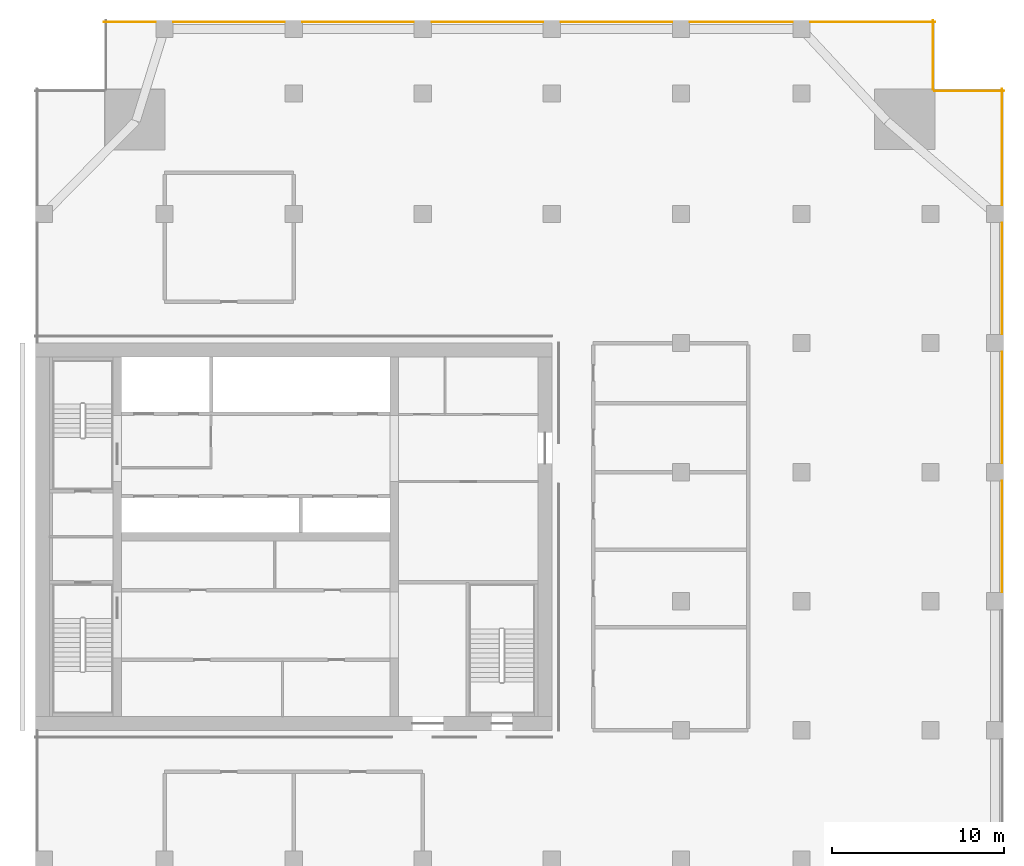
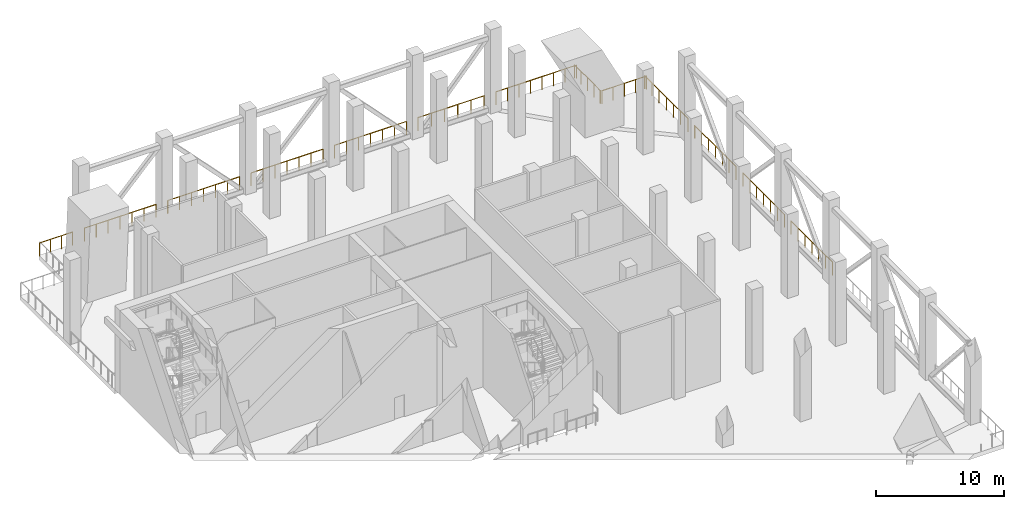
# One storey, part 12 of 12: 13 railings.
"""IFC4 building model written with IfcOpenShell, lengths in metres."""

from ifc_helpers import new_model, si_unit, direction, frame, origin, origin_2d, place, context, subcontext, project, spatial, circle, extrude, material, type_object, element, save


model = new_model("IFC4")

# Units and contexts
model_context = context("Model", 3, precision=1e-05, world=origin(), true_north=direction((0.0, 1.0)))
body_context = subcontext(model_context, "Body", "Model", "MODEL_VIEW")
ifc_project = project(units=[si_unit("LENGTHUNIT", "METRE"), si_unit("AREAUNIT", "SQUARE_METRE"), si_unit("VOLUMEUNIT", "CUBIC_METRE"), si_unit("PLANEANGLEUNIT", "RADIAN"), si_unit("MASSUNIT", "GRAM", prefix="KILO")], contexts=[model_context])

# Site, building, storey
site_placement = place(None, origin())
site = spatial("IfcSite", under=ifc_project, at=site_placement, CompositionType="ELEMENT")
building_placement = place(site_placement, origin())
building = spatial("IfcBuilding", under=site, at=building_placement, Name="Tamorin Gate", CompositionType="ELEMENT")
storey_placement = place(building_placement, frame((0.0, 0.0, 166.199951171875)))
storey = spatial("IfcBuildingStorey", under=building, at=storey_placement, Name="L41", CompositionType="ELEMENT", Elevation=166.199951171875)

# Railings
ifc_material = material(Name="Stainless steel", Category="steel")
railing_type = type_object("IfcRailingType", Name="Wind floor guard 1250", PredefinedType="GUARDRAIL", material=ifc_material)
for number, where, name in (
    (1, (86.14990234375, 68.030029296875, 0.0), "Open edge guard"),
    (2, (86.14990234375, 75.530029296875, 0.0), "Open edge guard"),
    (3, (86.14990234375, 83.030029296875, 0.0), "Open edge guard"),
):
    element("IfcRailing", number, at=place(storey_placement, frame(where)), inside=storey, type_object=railing_type, Name=name, PredefinedType="GUARDRAIL", context=body_context, shape_type="SweptSolid", body=[
        extrude(circle(Radius=0.02392578125, at=origin_2d()), frame((0.0, 0.0, 1.22607421875), z_axis=(0.0, 1.0, 0.0), x_axis=(-1.0, 0.0, 0.0)), (0.0, 0.0, 1.0), 6.43994140625),
        extrude(circle(Radius=0.02099609375, at=origin_2d()), origin(), (0.0, 0.0, 1.0), 1.201904296875),
        extrude(circle(Radius=0.02099609375, at=origin_2d()), frame((0.0, 1.0732421875, 0.0)), (0.0, 0.0, 1.0), 1.201904296875),
        extrude(circle(Radius=0.02099609375, at=origin_2d()), frame((0.0, 2.146728515625, 0.0)), (0.0, 0.0, 1.0), 1.201904296875),
        extrude(circle(Radius=0.02099609375, at=origin_2d()), frame((0.0, 3.219970703125, 0.0)), (0.0, 0.0, 1.0), 1.201904296875),
        extrude(circle(Radius=0.02099609375, at=origin_2d()), frame((0.0, 4.293212890625, 0.0)), (0.0, 0.0, 1.0), 1.201904296875),
        extrude(circle(Radius=0.02099609375, at=origin_2d()), frame((0.0, 5.36669921875, 0.0)), (0.0, 0.0, 1.0), 1.201904296875),
        extrude(circle(Radius=0.02099609375, at=origin_2d()), frame((0.0, 6.43994140625, 0.0)), (0.0, 0.0, 1.0), 1.201904296875),
    ])
railing_1_placement = place(storey_placement, frame((86.14990234375, 90.530029296875, 0.0)))
element("IfcRailing", 4, at=railing_1_placement, inside=storey, type_object=railing_type, Name="Open edge guard", PredefinedType="GUARDRAIL", context=body_context, shape_type="SweptSolid", body=[
    extrude(circle(Radius=0.02392578125, at=origin_2d()), frame((0.0, 0.0, 1.22607421875), z_axis=(0.0, 1.0, 0.0), x_axis=(-1.0, 0.0, 0.0)), (0.0, 0.0, 1.0), 6.719970703125),
    extrude(circle(Radius=0.02099609375, at=origin_2d()), origin(), (0.0, 0.0, 1.0), 1.201904296875),
    extrude(circle(Radius=0.02099609375, at=origin_2d()), frame((0.0, 1.1201171875, 0.0)), (0.0, 0.0, 1.0), 1.201904296875),
    extrude(circle(Radius=0.02099609375, at=origin_2d()), frame((0.0, 2.239990234375, 0.0)), (0.0, 0.0, 1.0), 1.201904296875),
    extrude(circle(Radius=0.02099609375, at=origin_2d()), frame((0.0, 3.35986328125, 0.0)), (0.0, 0.0, 1.0), 1.201904296875),
    extrude(circle(Radius=0.02099609375, at=origin_2d()), frame((0.0, 4.47998046875, 0.0)), (0.0, 0.0, 1.0), 1.201904296875),
    extrude(circle(Radius=0.02099609375, at=origin_2d()), frame((0.0, 5.60009765625, 0.0)), (0.0, 0.0, 1.0), 1.201904296875),
    extrude(circle(Radius=0.02099609375, at=origin_2d()), frame((0.0, 6.719970703125, 0.0)), (0.0, 0.0, 1.0), 1.201904296875),
])
railing_2_placement = place(storey_placement, frame((86.25, 97.14990234375, 0.0)))
element("IfcRailing", 5, at=railing_2_placement, inside=storey, type_object=railing_type, Name="Open edge guard", PredefinedType="GUARDRAIL", context=body_context, shape_type="SweptSolid", body=[
    extrude(circle(Radius=0.02392578125, at=origin_2d()), frame((0.0, 0.0, 1.22607421875), z_axis=(-1.0, 0.0, 0.0), x_axis=(0.0, -1.0, 0.0)), (0.0, 0.0, 1.0), 4.0),
    extrude(circle(Radius=0.02099609375, at=origin_2d()), origin(), (0.0, 0.0, 1.0), 1.201904296875),
    extrude(circle(Radius=0.02099609375, at=origin_2d()), frame((-1.0, 0.0, 0.0)), (0.0, 0.0, 1.0), 1.201904296875),
    extrude(circle(Radius=0.02099609375, at=origin_2d()), frame((-2.0, 0.0, 0.0)), (0.0, 0.0, 1.0), 1.201904296875),
    extrude(circle(Radius=0.02099609375, at=origin_2d()), frame((-3.0, 0.0, 0.0)), (0.0, 0.0, 1.0), 1.201904296875),
    extrude(circle(Radius=0.02099609375, at=origin_2d()), frame((-4.0, 0.0, 0.0)), (0.0, 0.0, 1.0), 1.201904296875),
])
railing_3_placement = place(storey_placement, frame((82.14990234375, 97.25, 0.0)))
element("IfcRailing", 6, at=railing_3_placement, inside=storey, type_object=railing_type, Name="Open edge guard", PredefinedType="GUARDRAIL", context=body_context, shape_type="SweptSolid", body=[
    extrude(circle(Radius=0.02392578125, at=origin_2d()), frame((0.0, 0.0, 1.22607421875), z_axis=(0.0, 1.0, 0.0), x_axis=(-1.0, 0.0, 0.0)), (0.0, 0.0, 1.0), 4.0),
    extrude(circle(Radius=0.02099609375, at=origin_2d()), origin(), (0.0, 0.0, 1.0), 1.201904296875),
    extrude(circle(Radius=0.02099609375, at=origin_2d()), frame((0.0, 1.0, 0.0)), (0.0, 0.0, 1.0), 1.201904296875),
    extrude(circle(Radius=0.02099609375, at=origin_2d()), frame((0.0, 2.0, 0.0)), (0.0, 0.0, 1.0), 1.201904296875),
    extrude(circle(Radius=0.02099609375, at=origin_2d()), frame((0.0, 3.0, 0.0)), (0.0, 0.0, 1.0), 1.201904296875),
    extrude(circle(Radius=0.02099609375, at=origin_2d()), frame((0.0, 4.0, 0.0)), (0.0, 0.0, 1.0), 1.201904296875),
])
railing_4_placement = place(storey_placement, frame((82.25, 101.14990234375, 0.0)))
element("IfcRailing", 7, at=railing_4_placement, inside=storey, type_object=railing_type, Name="Open edge guard", PredefinedType="GUARDRAIL", context=body_context, shape_type="SweptSolid", body=[
    extrude(circle(Radius=0.02392578125, at=origin_2d()), frame((0.0, 0.0, 1.22607421875), z_axis=(-1.0, 0.0, 0.0), x_axis=(0.0, -1.0, 0.0)), (0.0, 0.0, 1.0), 7.219970703125),
    extrude(circle(Radius=0.02099609375, at=origin_2d()), origin(), (0.0, 0.0, 1.0), 1.201904296875),
    extrude(circle(Radius=0.02099609375, at=origin_2d()), frame((-1.031494140625, 0.0, 0.0)), (0.0, 0.0, 1.0), 1.201904296875),
    extrude(circle(Radius=0.02099609375, at=origin_2d()), frame((-2.062744140625, 0.0, 0.0)), (0.0, 0.0, 1.0), 1.201904296875),
    extrude(circle(Radius=0.02099609375, at=origin_2d()), frame((-3.09423828125, 0.0, 0.0)), (0.0, 0.0, 1.0), 1.201904296875),
    extrude(circle(Radius=0.02099609375, at=origin_2d()), frame((-4.125732421875, 0.0, 0.0)), (0.0, 0.0, 1.0), 1.201904296875),
    extrude(circle(Radius=0.02099609375, at=origin_2d()), frame((-5.1572265625, 0.0, 0.0)), (0.0, 0.0, 1.0), 1.201904296875),
    extrude(circle(Radius=0.02099609375, at=origin_2d()), frame((-6.1884765625, 0.0, 0.0)), (0.0, 0.0, 1.0), 1.201904296875),
    extrude(circle(Radius=0.02099609375, at=origin_2d()), frame((-7.219970703125, 0.0, 0.0)), (0.0, 0.0, 1.0), 1.201904296875),
])
railing_5_placement = place(storey_placement, frame((73.969970703125, 101.14990234375, 0.0)))
element("IfcRailing", 8, at=railing_5_placement, inside=storey, type_object=railing_type, Name="Open edge guard", PredefinedType="GUARDRAIL", context=body_context, shape_type="SweptSolid", body=[
    extrude(circle(Radius=0.02392578125, at=origin_2d()), frame((0.0, 0.0, 1.22607421875), z_axis=(-1.0, 0.0, 0.0), x_axis=(0.0, -1.0, 0.0)), (0.0, 0.0, 1.0), 5.93994140625),
    extrude(circle(Radius=0.02099609375, at=origin_2d()), origin(), (0.0, 0.0, 1.0), 1.201904296875),
    extrude(circle(Radius=0.02099609375, at=origin_2d()), frame((-1.18798828125, 0.0, 0.0)), (0.0, 0.0, 1.0), 1.201904296875),
    extrude(circle(Radius=0.02099609375, at=origin_2d()), frame((-2.3759765625, 0.0, 0.0)), (0.0, 0.0, 1.0), 1.201904296875),
    extrude(circle(Radius=0.02099609375, at=origin_2d()), frame((-3.56396484375, 0.0, 0.0)), (0.0, 0.0, 1.0), 1.201904296875),
    extrude(circle(Radius=0.02099609375, at=origin_2d()), frame((-4.751953125, 0.0, 0.0)), (0.0, 0.0, 1.0), 1.201904296875),
    extrude(circle(Radius=0.02099609375, at=origin_2d()), frame((-5.93994140625, 0.0, 0.0)), (0.0, 0.0, 1.0), 1.201904296875),
])
for number, where, name in (
    (9, (66.969970703125, 101.14990234375, 0.0), "Open edge guard"),
    (10, (59.469970703125, 101.14990234375, 0.0), "Open edge guard"),
    (11, (51.969970703125, 101.14990234375, 0.0), "Open edge guard"),
    (12, (44.469970703125, 101.14990234375, 0.0), "Open edge guard"),
):
    element("IfcRailing", number, at=place(storey_placement, frame(where)), inside=storey, type_object=railing_type, Name=name, PredefinedType="GUARDRAIL", context=body_context, shape_type="SweptSolid", body=[
        extrude(circle(Radius=0.02392578125, at=origin_2d()), frame((0.0, 0.0, 1.22607421875), z_axis=(-1.0, 0.0, 0.0), x_axis=(0.0, -1.0, 0.0)), (0.0, 0.0, 1.0), 6.43994140625),
        extrude(circle(Radius=0.02099609375, at=origin_2d()), origin(), (0.0, 0.0, 1.0), 1.201904296875),
        extrude(circle(Radius=0.02099609375, at=origin_2d()), frame((-1.0732421875, 0.0, 0.0)), (0.0, 0.0, 1.0), 1.201904296875),
        extrude(circle(Radius=0.02099609375, at=origin_2d()), frame((-2.146728515625, 0.0, 0.0)), (0.0, 0.0, 1.0), 1.201904296875),
        extrude(circle(Radius=0.02099609375, at=origin_2d()), frame((-3.219970703125, 0.0, 0.0)), (0.0, 0.0, 1.0), 1.201904296875),
        extrude(circle(Radius=0.02099609375, at=origin_2d()), frame((-4.293212890625, 0.0, 0.0)), (0.0, 0.0, 1.0), 1.201904296875),
        extrude(circle(Radius=0.02099609375, at=origin_2d()), frame((-5.36669921875, 0.0, 0.0)), (0.0, 0.0, 1.0), 1.201904296875),
        extrude(circle(Radius=0.02099609375, at=origin_2d()), frame((-6.43994140625, 0.0, 0.0)), (0.0, 0.0, 1.0), 1.201904296875),
    ])
railing_6_placement = place(storey_placement, frame((36.969970703125, 101.14990234375, 0.0)))
element("IfcRailing", 13, at=railing_6_placement, inside=storey, type_object=railing_type, Name="Open edge guard", PredefinedType="GUARDRAIL", context=body_context, shape_type="SweptSolid", body=[
    extrude(circle(Radius=0.02392578125, at=origin_2d()), frame((0.0, 0.0, 1.22607421875), z_axis=(-1.0, 0.0, 0.0), x_axis=(0.0, -1.0, 0.0)), (0.0, 0.0, 1.0), 2.969970703125),
    extrude(circle(Radius=0.02099609375, at=origin_2d()), origin(), (0.0, 0.0, 1.0), 1.201904296875),
    extrude(circle(Radius=0.02099609375, at=origin_2d()), frame((-0.989990234375, 0.0, 0.0)), (0.0, 0.0, 1.0), 1.201904296875),
    extrude(circle(Radius=0.02099609375, at=origin_2d()), frame((-1.97998046875, 0.0, 0.0)), (0.0, 0.0, 1.0), 1.201904296875),
    extrude(circle(Radius=0.02099609375, at=origin_2d()), frame((-2.969970703125, 0.0, 0.0)), (0.0, 0.0, 1.0), 1.201904296875),
])

save(model, "model.ifc")
